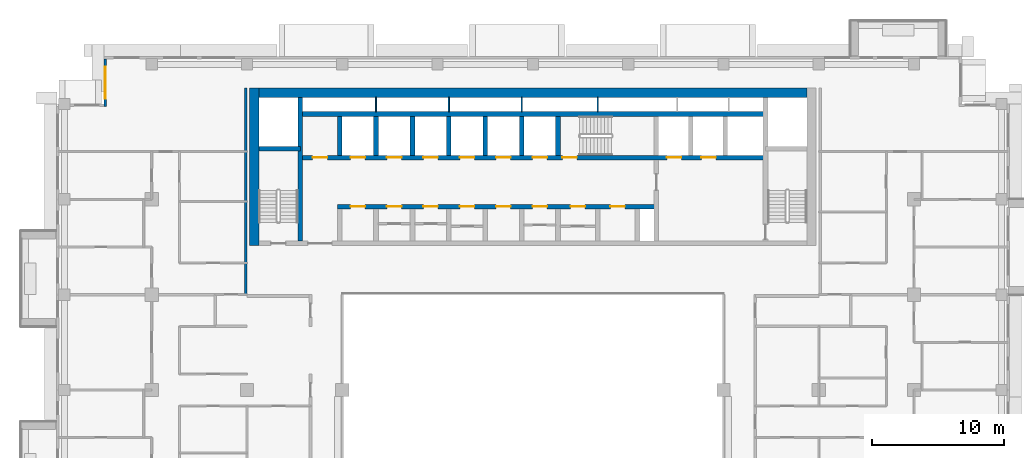
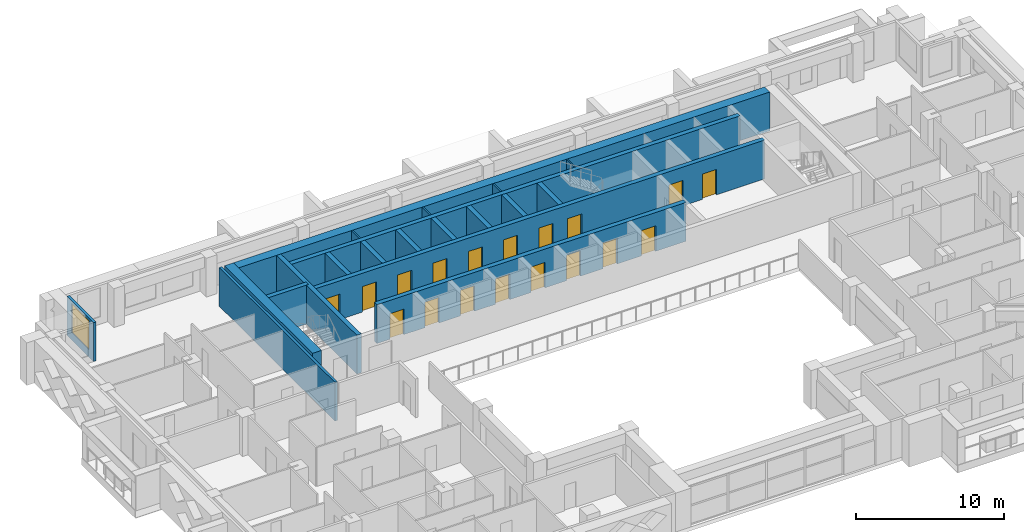
# One storey, part 10 of 20: 20 walls, 18 doors, 1 window, 19 openings.
"""IFC4 building model written with IfcOpenShell, lengths in metres."""

from ifc_helpers import new_model, si_unit, direction, frame, frame_2d, origin, place, context, subcontext, project, spatial, rectangle, extrude, material, layer, layer_set, type_object, element, fill, save


model = new_model("IFC4")

# Units and contexts
model_context = context("Model", 3, precision=1e-05, world=origin(), true_north=direction((0.0, 1.0)))
body_context = subcontext(model_context, "Body", "Model", "MODEL_VIEW")
ifc_project = project(units=[si_unit("LENGTHUNIT", "METRE"), si_unit("AREAUNIT", "SQUARE_METRE"), si_unit("VOLUMEUNIT", "CUBIC_METRE"), si_unit("PLANEANGLEUNIT", "RADIAN"), si_unit("MASSUNIT", "GRAM", prefix="KILO")], contexts=[model_context])

# Site, building, storey
site_placement = place(None, origin())
site = spatial("IfcSite", under=ifc_project, at=site_placement, CompositionType="ELEMENT")
building_placement = place(site_placement, origin())
building = spatial("IfcBuilding", under=site, at=building_placement, Name="Saffron Iwan Residences", CompositionType="ELEMENT")
storey_placement = place(building_placement, frame((0.0, 0.0, 171.0)))
storey = spatial("IfcBuildingStorey", under=building, at=storey_placement, Name="L45", CompositionType="ELEMENT", Elevation=171.0)

# Wall, opening, window
ifc_material_1 = material(Name="Concrete C40/50", Category="concrete")
ifc_layer_1 = layer(ifc_material_1, 0.199951171875)
ifc_layer_set_1 = layer_set([ifc_layer_1], Name="Concrete C40/50")
wall_type_1 = type_object("IfcWallType", Name="EXTERNAL WALL 200", PredefinedType="SOLIDWALL", material=ifc_layer_set_1)
wall_1_placement = place(storey_placement, frame((18.10009765625, 80.199951171875, 0.0), z_axis=(0.0, 0.0, 1.0), x_axis=(0.0, -1.0, 0.0)))
wall_1 = element("IfcWall", 1, at=wall_1_placement, inside=storey, type_object=wall_type_1, Name="External wall L45 F6.0", PredefinedType="SOLIDWALL", context=body_context, shape_type="SweptSolid", body=[
    extrude(rectangle(XDim=3.599853515625, YDim=0.199951171875, at=frame_2d((1.7998046875, 0.0))), origin(), (0.0, 0.0, 1.0), 3.199951171875),
])
opening_1_placement = place(wall_1_placement, frame((0.60009765625, 0.0, 0.60009765625)))
opening_1 = element("IfcOpeningElement", 2, at=opening_1_placement, cuts=wall_1, Name="Opening W1", PredefinedType="OPENING", context=body_context, shape_type="SweptSolid", body=[
    extrude(rectangle(XDim=2.39990234375, YDim=2.39990234375, at=frame_2d((1.199951171875, 1.199951171875))), frame((0.0, 0.10986328125, 0.0), z_axis=(0.0, -1.0, 0.0), x_axis=(1.0, 0.0, 0.0)), (0.0, 0.0, 1.0), 0.219970703125),
])
ifc_material_2 = material(Name="Clear glass, laminated double glazed", Category="glass")
window_type = type_object("IfcWindowType", Name="WINDOW 2400 x 2400", PartitioningType="DOUBLE_PANEL_VERTICAL", PredefinedType="WINDOW", material=ifc_material_2)
window_placement = place(opening_1_placement, origin())
window = element("IfcWindow", 3, at=window_placement, inside=storey, type_object=window_type, Name="Window L45 F6.0", OverallHeight=2.39990234375, OverallWidth=2.39990234375, PartitioningType="DOUBLE_PANEL_VERTICAL", PredefinedType="WINDOW", context=body_context, shape_type="SweptSolid", body=[
    extrude(rectangle(XDim=2.39990234375, YDim=2.39990234375, at=frame_2d((1.199951171875, 1.199951171875))), frame((0.0, 0.030029296875, 0.0), z_axis=(0.0, -1.0, 0.0), x_axis=(1.0, 0.0, 0.0)), (0.0, 0.0, 1.0), 0.06005859375),
])
fill(opening_1, window)

# Walls
ifc_material_3 = material(Name="Fire-rated gypsum board wall")
ifc_layer_2 = layer(ifc_material_3, 0.199951171875)
ifc_layer_set_2 = layer_set([ifc_layer_2], Name="Fire-rated gypsum board wall")
wall_type_2 = type_object("IfcWallType", Name="Gallery wall 200", PredefinedType="SOLIDWALL", material=ifc_layer_set_2)
wall_2_placement = place(storey_placement, frame((28.699951171875, 62.39990234375, 0.0), z_axis=(0.0, 0.0, 1.0), x_axis=(0.0, 1.0, 0.0)))
element("IfcWall", 4, at=wall_2_placement, inside=storey, type_object=wall_type_2, Name="W-L45-CORR-v28.8-62.4", PredefinedType="SOLIDWALL", context=body_context, shape_type="SweptSolid", body=[
    extrude(rectangle(XDim=15.60009765625, YDim=0.199951171875, at=frame_2d((7.800048828125, 0.0))), origin(), (0.0, 0.0, 1.0), 3.199951171875),
])
ifc_material_4 = material(Name="Fire-rated plasterboard partition")
ifc_layer_3 = layer(ifc_material_4, 0.10009765625)
ifc_layer_set_3 = layer_set([ifc_layer_3], Name="Fire-rated plasterboard partition")
wall_type_3 = type_object("IfcWallType", Name="Riser partition 100", PredefinedType="PARTITIONING", material=ifc_layer_set_3)
for number, where, z_axis, x_axis, name in (
    (5, (38.550048828125, 76.22509765625, 0.0), (0.0, 0.0, 1.0), (0.0, 1.0, 0.0), "Core partition P06"),
    (6, (44.050048828125, 76.22509765625, 0.0), (0.0, 0.0, 1.0), (0.0, 1.0, 0.0), "Core partition P07"),
    (7, (49.550048828125, 76.22509765625, 0.0), (0.0, 0.0, 1.0), (0.0, 1.0, 0.0), "Core partition P08"),
    (8, (55.300048828125, 76.22509765625, 0.0), (0.0, 0.0, 1.0), (0.0, 1.0, 0.0), "Core partition P09"),
):
    element("IfcWall", number, at=place(storey_placement, frame(where, z_axis=z_axis, x_axis=x_axis)), inside=storey, type_object=wall_type_3, Name=name, PredefinedType="PARTITIONING", context=body_context, shape_type="SweptSolid", body=[
        extrude(rectangle(XDim=1.074951171875, YDim=0.10009765625, at=frame_2d((0.53759765625, 0.0))), origin(), (0.0, 0.0, 1.0), 3.199951171875),
    ])

# Wall, openings, doors
ifc_material_5 = material(Name="Concrete C50/60", Category="concrete")
ifc_layer_4 = layer(ifc_material_5, 0.35009765625)
ifc_layer_set_4 = layer_set([ifc_layer_4], Name="Concrete C50/60")
wall_type_4 = type_object("IfcWallType", Name="WALL CORE 350 C50/60 3200 HIGH", PredefinedType="SHEAR", material=ifc_layer_set_4)
wall_3_placement = place(storey_placement, frame((35.625, 69.050048828125, 0.0), z_axis=(0.0, 0.0, 1.0), x_axis=(1.0, 0.0, 0.0)))
wall_3 = element("IfcWall", 9, at=wall_3_placement, inside=storey, type_object=wall_type_4, Name="Core wall", PredefinedType="SHEAR", context=body_context, shape_type="SweptSolid", body=[
    extrude(rectangle(XDim=24.10009765625, YDim=0.35009765625, at=frame_2d((12.050048828125, 0.0))), origin(), (0.0, 0.0, 1.0), 3.199951171875),
])
opening_2_placement = place(wall_3_placement, frame((1.0, 0.0, 0.0)))
opening_2 = element("IfcOpeningElement", 10, at=opening_2_placement, cuts=wall_3, Name="Opening SR", PredefinedType="OPENING", context=body_context, shape_type="SweptSolid", body=[
    extrude(rectangle(XDim=1.10009765625, YDim=2.10009765625, at=frame_2d((0.550048828125, 1.050048828125))), frame((0.0, 0.18505859375, 0.0), z_axis=(0.0, -1.0, 0.0), x_axis=(1.0, 0.0, 0.0)), (0.0, 0.0, 1.0), 0.3701171875),
])
opening_3_placement = place(wall_3_placement, frame((3.75, 0.0, 0.0)))
opening_3 = element("IfcOpeningElement", 11, at=opening_3_placement, cuts=wall_3, Name="Opening SR", PredefinedType="OPENING", context=body_context, shape_type="SweptSolid", body=[
    extrude(rectangle(XDim=1.10009765625, YDim=2.10009765625, at=frame_2d((0.550048828125, 1.050048828125))), frame((0.0, 0.18505859375, 0.0), z_axis=(0.0, -1.0, 0.0), x_axis=(1.0, 0.0, 0.0)), (0.0, 0.0, 1.0), 0.3701171875),
])
opening_4_placement = place(wall_3_placement, frame((6.5, 0.0, 0.0)))
opening_4 = element("IfcOpeningElement", 12, at=opening_4_placement, cuts=wall_3, Name="Opening SR", PredefinedType="OPENING", context=body_context, shape_type="SweptSolid", body=[
    extrude(rectangle(XDim=1.10009765625, YDim=2.10009765625, at=frame_2d((0.550048828125, 1.050048828125))), frame((0.0, 0.18505859375, 0.0), z_axis=(0.0, -1.0, 0.0), x_axis=(1.0, 0.0, 0.0)), (0.0, 0.0, 1.0), 0.3701171875),
])
opening_5_placement = place(wall_3_placement, frame((9.25, 0.0, 0.0)))
opening_5 = element("IfcOpeningElement", 13, at=opening_5_placement, cuts=wall_3, Name="Opening SR", PredefinedType="OPENING", context=body_context, shape_type="SweptSolid", body=[
    extrude(rectangle(XDim=1.10009765625, YDim=2.10009765625, at=frame_2d((0.550048828125, 1.050048828125))), frame((0.0, 0.18505859375, 0.0), z_axis=(0.0, -1.0, 0.0), x_axis=(1.0, 0.0, 0.0)), (0.0, 0.0, 1.0), 0.3701171875),
])
opening_6_placement = place(wall_3_placement, frame((12.0, 0.0, 0.0)))
opening_6 = element("IfcOpeningElement", 14, at=opening_6_placement, cuts=wall_3, Name="Opening SR", PredefinedType="OPENING", context=body_context, shape_type="SweptSolid", body=[
    extrude(rectangle(XDim=1.10009765625, YDim=2.10009765625, at=frame_2d((0.550048828125, 1.050048828125))), frame((0.0, 0.18505859375, 0.0), z_axis=(0.0, -1.0, 0.0), x_axis=(1.0, 0.0, 0.0)), (0.0, 0.0, 1.0), 0.3701171875),
])
opening_7_placement = place(wall_3_placement, frame((14.75, 0.0, 0.0)))
opening_7 = element("IfcOpeningElement", 15, at=opening_7_placement, cuts=wall_3, Name="Opening SR", PredefinedType="OPENING", context=body_context, shape_type="SweptSolid", body=[
    extrude(rectangle(XDim=1.10009765625, YDim=2.10009765625, at=frame_2d((0.550048828125, 1.050048828125))), frame((0.0, 0.18505859375, 0.0), z_axis=(0.0, -1.0, 0.0), x_axis=(1.0, 0.0, 0.0)), (0.0, 0.0, 1.0), 0.3701171875),
])
opening_8_placement = place(wall_3_placement, frame((17.625, 0.0, 0.0)))
opening_8 = element("IfcOpeningElement", 16, at=opening_8_placement, cuts=wall_3, Name="Opening SR", PredefinedType="OPENING", context=body_context, shape_type="SweptSolid", body=[
    extrude(rectangle(XDim=1.10009765625, YDim=2.10009765625, at=frame_2d((0.550048828125, 1.050048828125))), frame((0.0, 0.18505859375, 0.0), z_axis=(0.0, -1.0, 0.0), x_axis=(1.0, 0.0, 0.0)), (0.0, 0.0, 1.0), 0.3701171875),
])
opening_9_placement = place(wall_3_placement, frame((20.625, 0.0, 0.0)))
opening_9 = element("IfcOpeningElement", 17, at=opening_9_placement, cuts=wall_3, Name="Opening SR", PredefinedType="OPENING", context=body_context, shape_type="SweptSolid", body=[
    extrude(rectangle(XDim=1.10009765625, YDim=2.10009765625, at=frame_2d((0.550048828125, 1.050048828125))), frame((0.0, 0.18505859375, 0.0), z_axis=(0.0, -1.0, 0.0), x_axis=(1.0, 0.0, 0.0)), (0.0, 0.0, 1.0), 0.3701171875),
])
ifc_material_6 = material(Name="Steel fire door", Category="steel")
door_type_1 = type_object("IfcDoorType", Name="Service door 1100", OperationType="NOTDEFINED", PredefinedType="DOOR", material=ifc_material_6)
door_1_placement = place(opening_2_placement, origin())
door_1 = element("IfcDoor", 18, at=door_1_placement, inside=storey, type_object=door_type_1, Name="Door Cleaner's store", OperationType="SINGLE_SWING_RIGHT", OverallHeight=2.10009765625, OverallWidth=1.10009765625, PredefinedType="DOOR", context=body_context, shape_type="SweptSolid", body=[
    extrude(rectangle(XDim=1.10009765625, YDim=2.10009765625, at=frame_2d((0.550048828125, 1.050048828125))), frame((0.0, 0.02490234375, 0.0), z_axis=(0.0, -1.0, 0.0), x_axis=(1.0, 0.0, 0.0)), (0.0, 0.0, 1.0), 0.050048828125),
])
fill(opening_2, door_1)
door_2_placement = place(opening_3_placement, origin())
door_2 = element("IfcDoor", 19, at=door_2_placement, inside=storey, type_object=door_type_1, Name="Door Trolley store", OperationType="SINGLE_SWING_LEFT", OverallHeight=2.10009765625, OverallWidth=1.10009765625, PredefinedType="DOOR", context=body_context, shape_type="SweptSolid", body=[
    extrude(rectangle(XDim=1.10009765625, YDim=2.10009765625, at=frame_2d((0.550048828125, 1.050048828125))), frame((0.0, 0.02490234375, 0.0), z_axis=(0.0, -1.0, 0.0), x_axis=(1.0, 0.0, 0.0)), (0.0, 0.0, 1.0), 0.050048828125),
])
fill(opening_3, door_2)
door_3_placement = place(opening_4_placement, origin())
door_3 = element("IfcDoor", 20, at=door_3_placement, inside=storey, type_object=door_type_1, Name="Door Communications room", OperationType="SINGLE_SWING_RIGHT", OverallHeight=2.10009765625, OverallWidth=1.10009765625, PredefinedType="DOOR", context=body_context, shape_type="SweptSolid", body=[
    extrude(rectangle(XDim=1.10009765625, YDim=2.10009765625, at=frame_2d((0.550048828125, 1.050048828125))), frame((0.0, 0.02490234375, 0.0), z_axis=(0.0, -1.0, 0.0), x_axis=(1.0, 0.0, 0.0)), (0.0, 0.0, 1.0), 0.050048828125),
])
fill(opening_4, door_3)
door_4_placement = place(opening_5_placement, origin())
door_4 = element("IfcDoor", 21, at=door_4_placement, inside=storey, type_object=door_type_1, Name="Door Switch room", OperationType="SINGLE_SWING_LEFT", OverallHeight=2.10009765625, OverallWidth=1.10009765625, PredefinedType="DOOR", context=body_context, shape_type="SweptSolid", body=[
    extrude(rectangle(XDim=1.10009765625, YDim=2.10009765625, at=frame_2d((0.550048828125, 1.050048828125))), frame((0.0, 0.02490234375, 0.0), z_axis=(0.0, -1.0, 0.0), x_axis=(1.0, 0.0, 0.0)), (0.0, 0.0, 1.0), 0.050048828125),
])
fill(opening_5, door_4)
door_5_placement = place(opening_6_placement, origin())
door_5 = element("IfcDoor", 22, at=door_5_placement, inside=storey, type_object=door_type_1, Name="Door Furniture store", OperationType="SINGLE_SWING_RIGHT", OverallHeight=2.10009765625, OverallWidth=1.10009765625, PredefinedType="DOOR", context=body_context, shape_type="SweptSolid", body=[
    extrude(rectangle(XDim=1.10009765625, YDim=2.10009765625, at=frame_2d((0.550048828125, 1.050048828125))), frame((0.0, 0.02490234375, 0.0), z_axis=(0.0, -1.0, 0.0), x_axis=(1.0, 0.0, 0.0)), (0.0, 0.0, 1.0), 0.050048828125),
])
fill(opening_6, door_5)
door_6_placement = place(opening_7_placement, origin())
door_6 = element("IfcDoor", 23, at=door_6_placement, inside=storey, type_object=door_type_1, Name="Door Housekeeping store", OperationType="SINGLE_SWING_LEFT", OverallHeight=2.10009765625, OverallWidth=1.10009765625, PredefinedType="DOOR", context=body_context, shape_type="SweptSolid", body=[
    extrude(rectangle(XDim=1.10009765625, YDim=2.10009765625, at=frame_2d((0.550048828125, 1.050048828125))), frame((0.0, 0.02490234375, 0.0), z_axis=(0.0, -1.0, 0.0), x_axis=(1.0, 0.0, 0.0)), (0.0, 0.0, 1.0), 0.050048828125),
])
fill(opening_7, door_6)
door_7_placement = place(opening_8_placement, origin())
door_7 = element("IfcDoor", 24, at=door_7_placement, inside=storey, type_object=door_type_1, Name="Door Pantry", OperationType="SINGLE_SWING_RIGHT", OverallHeight=2.10009765625, OverallWidth=1.10009765625, PredefinedType="DOOR", context=body_context, shape_type="SweptSolid", body=[
    extrude(rectangle(XDim=1.10009765625, YDim=2.10009765625, at=frame_2d((0.550048828125, 1.050048828125))), frame((0.0, 0.02490234375, 0.0), z_axis=(0.0, -1.0, 0.0), x_axis=(1.0, 0.0, 0.0)), (0.0, 0.0, 1.0), 0.050048828125),
])
fill(opening_8, door_7)
door_8_placement = place(opening_9_placement, origin())
door_8 = element("IfcDoor", 25, at=door_8_placement, inside=storey, type_object=door_type_1, Name="Door Electrical room", OperationType="SINGLE_SWING_RIGHT", OverallHeight=2.10009765625, OverallWidth=1.10009765625, PredefinedType="DOOR", context=body_context, shape_type="SweptSolid", body=[
    extrude(rectangle(XDim=1.10009765625, YDim=2.10009765625, at=frame_2d((0.550048828125, 1.050048828125))), frame((0.0, 0.02490234375, 0.0), z_axis=(0.0, -1.0, 0.0), x_axis=(1.0, 0.0, 0.0)), (0.0, 0.0, 1.0), 0.050048828125),
])
fill(opening_9, door_8)

wall_4_placement = place(storey_placement, frame((32.824951171875, 72.75, 0.0), z_axis=(0.0, 0.0, 1.0), x_axis=(1.0, 0.0, 0.0)))
wall_4 = element("IfcWall", 26, at=wall_4_placement, inside=storey, type_object=wall_type_4, Name="Core wall", PredefinedType="SHEAR", context=body_context, shape_type="SweptSolid", body=[
    extrude(rectangle(XDim=35.150146484375, YDim=0.35009765625, at=frame_2d((17.5751953125, 0.0))), origin(), (0.0, 0.0, 1.0), 3.199951171875),
])
opening_10_placement = place(wall_4_placement, frame((19.800048828125, 0.0, 0.0)))
opening_10 = element("IfcOpeningElement", 27, at=opening_10_placement, cuts=wall_4, Name="Opening SD", PredefinedType="OPENING", context=body_context, shape_type="SweptSolid", body=[
    extrude(rectangle(XDim=1.10009765625, YDim=2.10009765625, at=frame_2d((0.550048828125, 1.050048828125))), frame((0.0, 0.18505859375, 0.0), z_axis=(0.0, -1.0, 0.0), x_axis=(1.0, 0.0, 0.0)), (0.0, 0.0, 1.0), 0.3701171875),
])
opening_11_placement = place(wall_4_placement, frame((27.699951171875, 0.0, 0.0)))
opening_11 = element("IfcOpeningElement", 28, at=opening_11_placement, cuts=wall_4, Name="Opening LD", PredefinedType="OPENING", context=body_context, shape_type="SweptSolid", body=[
    extrude(rectangle(XDim=1.10009765625, YDim=2.10009765625, at=frame_2d((0.550048828125, 1.050048828125))), frame((0.0, 0.18505859375, 0.0), z_axis=(0.0, -1.0, 0.0), x_axis=(1.0, 0.0, 0.0)), (0.0, 0.0, 1.0), 0.3701171875),
])
opening_12_placement = place(wall_4_placement, frame((30.300048828125, 0.0, 0.0)))
opening_12 = element("IfcOpeningElement", 29, at=opening_12_placement, cuts=wall_4, Name="Opening LD", PredefinedType="OPENING", context=body_context, shape_type="SweptSolid", body=[
    extrude(rectangle(XDim=1.10009765625, YDim=2.10009765625, at=frame_2d((0.550048828125, 1.050048828125))), frame((0.0, 0.18505859375, 0.0), z_axis=(0.0, -1.0, 0.0), x_axis=(1.0, 0.0, 0.0)), (0.0, 0.0, 1.0), 0.3701171875),
])
opening_13_placement = place(wall_4_placement, frame((3.800048828125, 0.0, 0.0)))
opening_13 = element("IfcOpeningElement", 30, at=opening_13_placement, cuts=wall_4, Name="Opening LD", PredefinedType="OPENING", context=body_context, shape_type="SweptSolid", body=[
    extrude(rectangle(XDim=1.10009765625, YDim=2.10009765625, at=frame_2d((0.550048828125, 1.050048828125))), frame((0.0, 0.18505859375, 0.0), z_axis=(0.0, -1.0, 0.0), x_axis=(1.0, 0.0, 0.0)), (0.0, 0.0, 1.0), 0.3701171875),
])
opening_14_placement = place(wall_4_placement, frame((6.550048828125, 0.0, 0.0)))
opening_14 = element("IfcOpeningElement", 31, at=opening_14_placement, cuts=wall_4, Name="Opening LD", PredefinedType="OPENING", context=body_context, shape_type="SweptSolid", body=[
    extrude(rectangle(XDim=1.10009765625, YDim=2.10009765625, at=frame_2d((0.550048828125, 1.050048828125))), frame((0.0, 0.18505859375, 0.0), z_axis=(0.0, -1.0, 0.0), x_axis=(1.0, 0.0, 0.0)), (0.0, 0.0, 1.0), 0.3701171875),
])
opening_15_placement = place(wall_4_placement, frame((9.300048828125, 0.0, 0.0)))
opening_15 = element("IfcOpeningElement", 32, at=opening_15_placement, cuts=wall_4, Name="Opening LD", PredefinedType="OPENING", context=body_context, shape_type="SweptSolid", body=[
    extrude(rectangle(XDim=1.10009765625, YDim=2.10009765625, at=frame_2d((0.550048828125, 1.050048828125))), frame((0.0, 0.18505859375, 0.0), z_axis=(0.0, -1.0, 0.0), x_axis=(1.0, 0.0, 0.0)), (0.0, 0.0, 1.0), 0.3701171875),
])
opening_16_placement = place(wall_4_placement, frame((12.050048828125, 0.0, 0.0)))
opening_16 = element("IfcOpeningElement", 33, at=opening_16_placement, cuts=wall_4, Name="Opening LD", PredefinedType="OPENING", context=body_context, shape_type="SweptSolid", body=[
    extrude(rectangle(XDim=1.10009765625, YDim=2.10009765625, at=frame_2d((0.550048828125, 1.050048828125))), frame((0.0, 0.18505859375, 0.0), z_axis=(0.0, -1.0, 0.0), x_axis=(1.0, 0.0, 0.0)), (0.0, 0.0, 1.0), 0.3701171875),
])
opening_17_placement = place(wall_4_placement, frame((14.800048828125, 0.0, 0.0)))
opening_17 = element("IfcOpeningElement", 34, at=opening_17_placement, cuts=wall_4, Name="Opening LD", PredefinedType="OPENING", context=body_context, shape_type="SweptSolid", body=[
    extrude(rectangle(XDim=1.10009765625, YDim=2.10009765625, at=frame_2d((0.550048828125, 1.050048828125))), frame((0.0, 0.18505859375, 0.0), z_axis=(0.0, -1.0, 0.0), x_axis=(1.0, 0.0, 0.0)), (0.0, 0.0, 1.0), 0.3701171875),
])
opening_18_placement = place(wall_4_placement, frame((17.550048828125, 0.0, 0.0)))
opening_18 = element("IfcOpeningElement", 35, at=opening_18_placement, cuts=wall_4, Name="Opening LD", PredefinedType="OPENING", context=body_context, shape_type="SweptSolid", body=[
    extrude(rectangle(XDim=1.10009765625, YDim=2.10009765625, at=frame_2d((0.550048828125, 1.050048828125))), frame((0.0, 0.18505859375, 0.0), z_axis=(0.0, -1.0, 0.0), x_axis=(1.0, 0.0, 0.0)), (0.0, 0.0, 1.0), 0.3701171875),
])
opening_19_placement = place(wall_4_placement, frame((0.9375, 0.0, 0.0)))
opening_19 = element("IfcOpeningElement", 36, at=opening_19_placement, cuts=wall_4, Name="Opening SR", PredefinedType="OPENING", context=body_context, shape_type="SweptSolid", body=[
    extrude(rectangle(XDim=1.10009765625, YDim=2.10009765625, at=frame_2d((0.550048828125, 1.050048828125))), frame((0.0, 0.18505859375, 0.0), z_axis=(0.0, -1.0, 0.0), x_axis=(1.0, 0.0, 0.0)), (0.0, 0.0, 1.0), 0.3701171875),
])
door_type_2 = type_object("IfcDoorType", Name="Lift landing door 1100", OperationType="SLIDING_TO_LEFT", PredefinedType="DOOR", material=ifc_material_6)
door_9_placement = place(opening_11_placement, origin())
door_9 = element("IfcDoor", 37, at=door_9_placement, inside=storey, type_object=door_type_2, Name="Landing doors FF1", OperationType="SLIDING_TO_LEFT", OverallHeight=2.10009765625, OverallWidth=1.10009765625, PredefinedType="DOOR", context=body_context, shape_type="SweptSolid", body=[
    extrude(rectangle(XDim=1.10009765625, YDim=2.10009765625, at=frame_2d((0.550048828125, 1.050048828125))), frame((0.0, 0.02490234375, 0.0), z_axis=(0.0, -1.0, 0.0), x_axis=(1.0, 0.0, 0.0)), (0.0, 0.0, 1.0), 0.050048828125),
])
fill(opening_11, door_9)
door_10_placement = place(opening_12_placement, origin())
door_10 = element("IfcDoor", 38, at=door_10_placement, inside=storey, type_object=door_type_2, Name="Landing doors FF2", OperationType="SLIDING_TO_LEFT", OverallHeight=2.10009765625, OverallWidth=1.10009765625, PredefinedType="DOOR", context=body_context, shape_type="SweptSolid", body=[
    extrude(rectangle(XDim=1.10009765625, YDim=2.10009765625, at=frame_2d((0.550048828125, 1.050048828125))), frame((0.0, 0.02490234375, 0.0), z_axis=(0.0, -1.0, 0.0), x_axis=(1.0, 0.0, 0.0)), (0.0, 0.0, 1.0), 0.050048828125),
])
fill(opening_12, door_10)
door_11_placement = place(opening_13_placement, origin())
door_11 = element("IfcDoor", 39, at=door_11_placement, inside=storey, type_object=door_type_2, Name="Landing doors HR1", OperationType="SLIDING_TO_LEFT", OverallHeight=2.10009765625, OverallWidth=1.10009765625, PredefinedType="DOOR", context=body_context, shape_type="SweptSolid", body=[
    extrude(rectangle(XDim=1.10009765625, YDim=2.10009765625, at=frame_2d((0.550048828125, 1.050048828125))), frame((0.0, 0.02490234375, 0.0), z_axis=(0.0, -1.0, 0.0), x_axis=(1.0, 0.0, 0.0)), (0.0, 0.0, 1.0), 0.050048828125),
])
fill(opening_13, door_11)
door_12_placement = place(opening_14_placement, origin())
door_12 = element("IfcDoor", 40, at=door_12_placement, inside=storey, type_object=door_type_2, Name="Landing doors HR2", OperationType="SLIDING_TO_LEFT", OverallHeight=2.10009765625, OverallWidth=1.10009765625, PredefinedType="DOOR", context=body_context, shape_type="SweptSolid", body=[
    extrude(rectangle(XDim=1.10009765625, YDim=2.10009765625, at=frame_2d((0.550048828125, 1.050048828125))), frame((0.0, 0.02490234375, 0.0), z_axis=(0.0, -1.0, 0.0), x_axis=(1.0, 0.0, 0.0)), (0.0, 0.0, 1.0), 0.050048828125),
])
fill(opening_14, door_12)
door_13_placement = place(opening_15_placement, origin())
door_13 = element("IfcDoor", 41, at=door_13_placement, inside=storey, type_object=door_type_2, Name="Landing doors HR3", OperationType="SLIDING_TO_LEFT", OverallHeight=2.10009765625, OverallWidth=1.10009765625, PredefinedType="DOOR", context=body_context, shape_type="SweptSolid", body=[
    extrude(rectangle(XDim=1.10009765625, YDim=2.10009765625, at=frame_2d((0.550048828125, 1.050048828125))), frame((0.0, 0.02490234375, 0.0), z_axis=(0.0, -1.0, 0.0), x_axis=(1.0, 0.0, 0.0)), (0.0, 0.0, 1.0), 0.050048828125),
])
fill(opening_15, door_13)
door_14_placement = place(opening_16_placement, origin())
door_14 = element("IfcDoor", 42, at=door_14_placement, inside=storey, type_object=door_type_2, Name="Landing doors HR4", OperationType="SLIDING_TO_LEFT", OverallHeight=2.10009765625, OverallWidth=1.10009765625, PredefinedType="DOOR", context=body_context, shape_type="SweptSolid", body=[
    extrude(rectangle(XDim=1.10009765625, YDim=2.10009765625, at=frame_2d((0.550048828125, 1.050048828125))), frame((0.0, 0.02490234375, 0.0), z_axis=(0.0, -1.0, 0.0), x_axis=(1.0, 0.0, 0.0)), (0.0, 0.0, 1.0), 0.050048828125),
])
fill(opening_16, door_14)
door_15_placement = place(opening_17_placement, origin())
door_15 = element("IfcDoor", 43, at=door_15_placement, inside=storey, type_object=door_type_2, Name="Landing doors HR5", OperationType="SLIDING_TO_LEFT", OverallHeight=2.10009765625, OverallWidth=1.10009765625, PredefinedType="DOOR", context=body_context, shape_type="SweptSolid", body=[
    extrude(rectangle(XDim=1.10009765625, YDim=2.10009765625, at=frame_2d((0.550048828125, 1.050048828125))), frame((0.0, 0.02490234375, 0.0), z_axis=(0.0, -1.0, 0.0), x_axis=(1.0, 0.0, 0.0)), (0.0, 0.0, 1.0), 0.050048828125),
])
fill(opening_17, door_15)
door_16_placement = place(opening_18_placement, origin())
door_16 = element("IfcDoor", 44, at=door_16_placement, inside=storey, type_object=door_type_2, Name="Landing doors HR6", OperationType="SLIDING_TO_LEFT", OverallHeight=2.10009765625, OverallWidth=1.10009765625, PredefinedType="DOOR", context=body_context, shape_type="SweptSolid", body=[
    extrude(rectangle(XDim=1.10009765625, YDim=2.10009765625, at=frame_2d((0.550048828125, 1.050048828125))), frame((0.0, 0.02490234375, 0.0), z_axis=(0.0, -1.0, 0.0), x_axis=(1.0, 0.0, 0.0)), (0.0, 0.0, 1.0), 0.050048828125),
])
fill(opening_18, door_16)
door_17_placement = place(opening_19_placement, origin())
door_17 = element("IfcDoor", 45, at=door_17_placement, inside=storey, type_object=door_type_1, Name="Door Storage room", OperationType="SINGLE_SWING_LEFT", OverallHeight=2.10009765625, OverallWidth=1.10009765625, PredefinedType="DOOR", context=body_context, shape_type="SweptSolid", body=[
    extrude(rectangle(XDim=1.10009765625, YDim=2.10009765625, at=frame_2d((0.550048828125, 1.050048828125))), frame((0.0, 0.02490234375, 0.0), z_axis=(0.0, -1.0, 0.0), x_axis=(1.0, 0.0, 0.0)), (0.0, 0.0, 1.0), 0.050048828125),
])
fill(opening_19, door_17)
door_type_3 = type_object("IfcDoorType", Name="Stair door 1100", OperationType="NOTDEFINED", PredefinedType="DOOR", material=ifc_material_6)
door_18_placement = place(opening_10_placement, origin())
door_18 = element("IfcDoor", 46, at=door_18_placement, inside=storey, type_object=door_type_3, Name="Stair door ST-C", OperationType="SINGLE_SWING_LEFT", OverallHeight=2.10009765625, OverallWidth=1.10009765625, PredefinedType="DOOR", context=body_context, shape_type="SweptSolid", body=[
    extrude(rectangle(XDim=1.10009765625, YDim=2.10009765625, at=frame_2d((0.550048828125, 1.050048828125))), frame((0.0, 0.02490234375, 0.0), z_axis=(0.0, -1.0, 0.0), x_axis=(1.0, 0.0, 0.0)), (0.0, 0.0, 1.0), 0.050048828125),
])
fill(opening_10, door_18)

# Walls
wall_5_placement = place(storey_placement, frame((32.824951171875, 76.050048828125, 0.0), z_axis=(0.0, 0.0, 1.0), x_axis=(1.0, 0.0, 0.0)))
element("IfcWall", 47, at=wall_5_placement, inside=storey, type_object=wall_type_4, Name="Core wall", PredefinedType="SHEAR", context=body_context, shape_type="SweptSolid", body=[
    extrude(rectangle(XDim=35.150146484375, YDim=0.35009765625, at=frame_2d((17.5751953125, 0.0))), origin(), (0.0, 0.0, 1.0), 3.199951171875),
])
wall_6_placement = place(storey_placement, frame((29.699951171875, 73.425048828125, 0.0), z_axis=(0.0, 0.0, 1.0), x_axis=(1.0, 0.0, 0.0)))
element("IfcWall", 48, at=wall_6_placement, inside=storey, type_object=wall_type_4, Name="Core wall", PredefinedType="SHEAR", context=body_context, shape_type="SweptSolid", body=[
    extrude(rectangle(XDim=3.125, YDim=0.35009765625, at=frame_2d((1.5625, 0.0))), origin(), (0.0, 0.0, 1.0), 3.199951171875),
])
wall_7_placement = place(storey_placement, frame((32.824951171875, 66.449951171875, 0.0), z_axis=(0.0, 0.0, 1.0), x_axis=(0.0, 1.0, 0.0)))
element("IfcWall", 49, at=wall_7_placement, inside=storey, type_object=wall_type_4, Name="Core wall", PredefinedType="SHEAR", context=body_context, shape_type="SweptSolid", body=[
    extrude(rectangle(XDim=10.85009765625, YDim=0.35009765625, at=frame_2d((5.425048828125, 0.0))), origin(), (0.0, 0.0, 1.0), 3.199951171875),
])
for number, where, z_axis, x_axis, name in (
    (50, (35.800048828125, 72.925048828125, 0.0), (0.0, 0.0, 1.0), (0.0, 1.0, 0.0), "Core wall"),
    (51, (38.550048828125, 72.925048828125, 0.0), (0.0, 0.0, 1.0), (0.0, 1.0, 0.0), "Core wall"),
    (52, (41.300048828125, 72.925048828125, 0.0), (0.0, 0.0, 1.0), (0.0, 1.0, 0.0), "Core wall"),
    (53, (44.050048828125, 72.925048828125, 0.0), (0.0, 0.0, 1.0), (0.0, 1.0, 0.0), "Core wall"),
    (54, (46.800048828125, 72.925048828125, 0.0), (0.0, 0.0, 1.0), (0.0, 1.0, 0.0), "Core wall"),
    (55, (49.550048828125, 72.925048828125, 0.0), (0.0, 0.0, 1.0), (0.0, 1.0, 0.0), "Core wall"),
    (56, (52.300048828125, 72.925048828125, 0.0), (0.0, 0.0, 1.0), (0.0, 1.0, 0.0), "Core wall"),
):
    element("IfcWall", number, at=place(storey_placement, frame(where, z_axis=z_axis, x_axis=x_axis)), inside=storey, type_object=wall_type_4, Name=name, PredefinedType="SHEAR", context=body_context, shape_type="SweptSolid", body=[
        extrude(rectangle(XDim=2.949951171875, YDim=0.35009765625, at=frame_2d((1.47509765625, 0.0))), origin(), (0.0, 0.0, 1.0), 3.199951171875),
    ])
ifc_layer_5 = layer(ifc_material_5, 0.699951171875)
ifc_layer_set_5 = layer_set([ifc_layer_5], Name="Concrete C50/60")
wall_type_5 = type_object("IfcWallType", Name="WALL CORE 700 C50/60 3200 HIGH", PredefinedType="SHEAR", material=ifc_layer_set_5)
wall_8_placement = place(storey_placement, frame((29.35009765625, 66.10009765625, 0.0), z_axis=(0.0, 0.0, 1.0), x_axis=(0.0, 1.0, 0.0)))
element("IfcWall", 57, at=wall_8_placement, inside=storey, type_object=wall_type_5, Name="Core wall", PredefinedType="SHEAR", context=body_context, shape_type="SweptSolid", body=[
    extrude(rectangle(XDim=11.89990234375, YDim=0.699951171875, at=frame_2d((5.949951171875, 0.0))), origin(), (0.0, 0.0, 1.0), 3.199951171875),
])
wall_9_placement = place(storey_placement, frame((29.699951171875, 77.64990234375, 0.0), z_axis=(0.0, 0.0, 1.0), x_axis=(1.0, 0.0, 0.0)))
element("IfcWall", 58, at=wall_9_placement, inside=storey, type_object=wall_type_5, Name="Core wall", PredefinedType="SHEAR", context=body_context, shape_type="SweptSolid", body=[
    extrude(rectangle(XDim=41.400146484375, YDim=0.699951171875, at=frame_2d((20.7001953125, 0.0))), origin(), (0.0, 0.0, 1.0), 3.199951171875),
])

save(model, "model.ifc")
